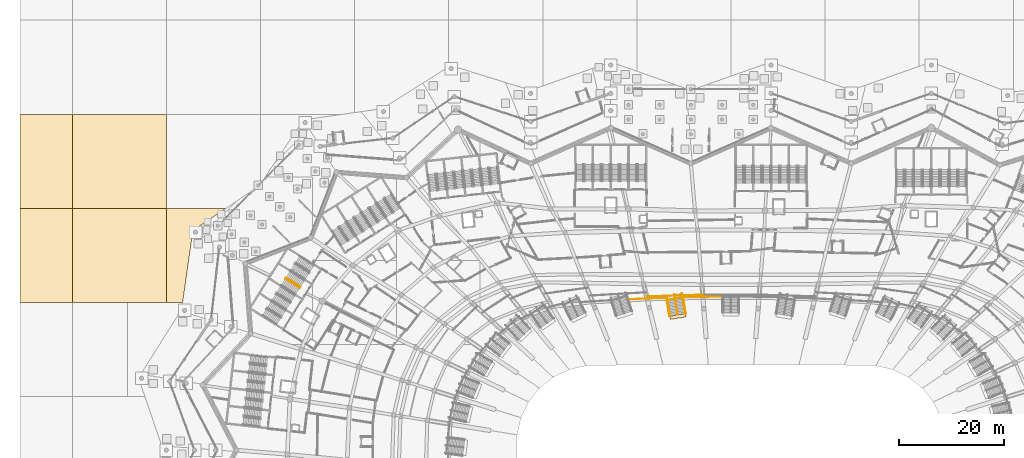
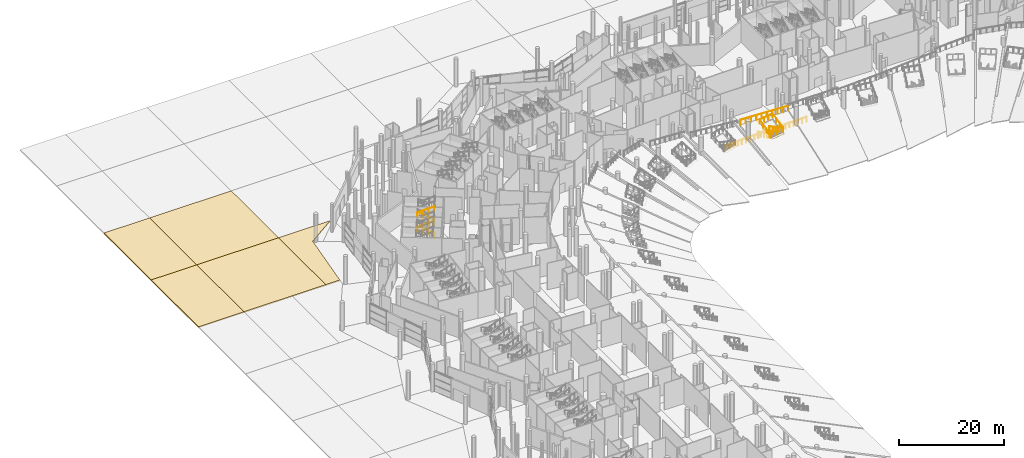
# One storey, part 231 of 255: 11 railings, 6 coverings.
"""IFC4 building model written with IfcOpenShell, lengths in metres."""

from ifc_helpers import new_model, si_unit, direction, frame, origin, origin_2d, place, context, subcontext, project, spatial, polyline, rectangle, circle, outline, extrude, material, layer, layer_set, type_object, element, save


model = new_model("IFC4")

# Units and contexts
model_context = context("Model", 3, precision=1e-05, world=origin(), true_north=direction((0.0, 1.0)))
body_context = subcontext(model_context, "Body", "Model", "MODEL_VIEW")
ifc_project = project(units=[si_unit("LENGTHUNIT", "METRE"), si_unit("AREAUNIT", "SQUARE_METRE"), si_unit("VOLUMEUNIT", "CUBIC_METRE"), si_unit("PLANEANGLEUNIT", "RADIAN"), si_unit("MASSUNIT", "GRAM", prefix="KILO")], contexts=[model_context])

# Site, building, storey
site_placement = place(None, origin())
site = spatial("IfcSite", under=ifc_project, at=site_placement, CompositionType="ELEMENT")
building_placement = place(site_placement, origin())
building = spatial("IfcBuilding", under=site, at=building_placement, Name="Meseta Stadium", CompositionType="ELEMENT")
storey_placement = place(building_placement, origin())
storey = spatial("IfcBuildingStorey", under=building, at=storey_placement, Name="L00", CompositionType="ELEMENT", Elevation=0.0)

# Coverings
ifc_material_1 = material(Name="Guadarrama granite paving on bedding", Category="masonry")
ifc_layer_1 = layer(ifc_material_1, 0.25)
ifc_layer_set_1 = layer_set([ifc_layer_1], Name="Ground paving 250")
covering_type_1 = type_object("IfcCoveringType", Name="Ground paving 250", PredefinedType="FLOORING", material=ifc_layer_set_1)
covering_1_placement = place(storey_placement, frame((0.0, 0.0, -0.25)))
element("IfcCovering", 1, at=covering_1_placement, inside=storey, type_object=covering_type_1, Name="Forecourt paving 49", PredefinedType="FLOORING", context=body_context, shape_type="SweptSolid", body=[
    extrude(outline(polyline([(-136.0, 90.0), (-136.0, 72.0), (-126.0, 72.0), (-126.0, 90.0), (-136.0, 90.0)])), origin(), (0.0, 0.0, 1.0), 0.25),
])
covering_2_placement = place(storey_placement, frame((0.0, 0.0, -0.25)))
element("IfcCovering", 2, at=covering_2_placement, inside=storey, type_object=covering_type_1, Name="Forecourt paving 50", PredefinedType="FLOORING", context=body_context, shape_type="SweptSolid", body=[
    extrude(outline(polyline([(-108.0, 72.0), (-108.0, 90.0), (-126.0, 90.0), (-126.0, 72.0), (-108.0, 72.0)])), origin(), (0.0, 0.0, 1.0), 0.25),
])
covering_3_placement = place(storey_placement, frame((0.0, 0.0, -0.25)))
element("IfcCovering", 3, at=covering_3_placement, inside=storey, type_object=covering_type_1, Name="Forecourt paving 52", PredefinedType="FLOORING", context=body_context, shape_type="SweptSolid", body=[
    extrude(outline(polyline([(-104.89794921875, 72.0), (-102.93212890625, 85.77294921875), (-96.626708984375, 90.0), (-108.0, 90.0), (-108.0, 72.0), (-104.89794921875, 72.0)])), origin(), (0.0, 0.0, 1.0), 0.25),
])
covering_4_placement = place(storey_placement, frame((0.0, 0.0, -0.25)))
element("IfcCovering", 4, at=covering_4_placement, inside=storey, type_object=covering_type_1, Name="Forecourt paving 54", PredefinedType="FLOORING", context=body_context, shape_type="SweptSolid", body=[
    extrude(outline(polyline([(-136.0, 108.0), (-136.0, 90.0), (-126.0, 90.0), (-126.0, 108.0), (-136.0, 108.0)])), origin(), (0.0, 0.0, 1.0), 0.25),
])
covering_5_placement = place(storey_placement, frame((0.0, 0.0, -0.25)))
element("IfcCovering", 5, at=covering_5_placement, inside=storey, type_object=covering_type_1, Name="Forecourt paving 55", PredefinedType="FLOORING", context=body_context, shape_type="SweptSolid", body=[
    extrude(outline(polyline([(-108.0, 90.0), (-108.0, 108.0), (-126.0, 108.0), (-126.0, 90.0), (-108.0, 90.0)])), origin(), (0.0, 0.0, 1.0), 0.25),
])

# Railings
ifc_material_2 = material(Name="Steel S355", Category="steel")
railing_type_1 = type_object("IfcRailingType", Name="Plate edge guard 1100", PredefinedType="GUARDRAIL", material=ifc_material_2)
railing_1_placement = place(storey_placement, frame((-1.570068359375, 73.095947265625, 0.0)))
element("IfcRailing", 6, at=railing_1_placement, inside=storey, type_object=railing_type_1, Name="L00 inner edge guard 20", PredefinedType="GUARDRAIL", context=body_context, shape_type="SweptSolid", body=[
    extrude(circle(Radius=0.02490234375, at=origin_2d()), frame((0.0, 0.0, 1.0751953125), z_axis=(-0.999975107636, -0.007055785431, 0.0), x_axis=(0.007055785431, -0.999975107636, 0.0)), (0.0, 0.0, 1.0), 2.0068359375),
    extrude(circle(Radius=0.02490234375, at=origin_2d()), frame((-2.0068359375, -0.01416015625, 1.0751953125), z_axis=(-0.99991923612, -0.012709100582, 0.0), x_axis=(0.012709100582, -0.99991923612, 0.0)), (0.0, 0.0, 1.0), 1.78662109375),
    extrude(circle(Radius=0.02490234375, at=origin_2d()), frame((-3.793212890625, -0.036865234375, 1.0751953125), z_axis=(-0.99984668871, -0.017509970742, 0.0), x_axis=(0.017509970742, -0.99984668871, 0.0)), (0.0, 0.0, 1.0), 1.78466796875),
    extrude(circle(Radius=0.02490234375, at=origin_2d()), frame((-5.57763671875, -0.068115234375, 1.0751953125), z_axis=(-0.999737298967, -0.022920145151, 0.0), x_axis=(0.022920145151, -0.999737298967, 0.0)), (0.0, 0.0, 1.0), 1.981201171875),
    extrude(circle(Radius=0.02001953125, at=origin_2d()), origin(), (0.0, 0.0, 1.0), 1.050048828125),
    extrude(circle(Radius=0.02001953125, at=origin_2d()), frame((-1.00341796875, -0.007080078125, 0.0)), (0.0, 0.0, 1.0), 1.050048828125),
    extrude(circle(Radius=0.02001953125, at=origin_2d()), frame((-2.0068359375, -0.01416015625, 0.0)), (0.0, 0.0, 1.0), 1.050048828125),
    extrude(circle(Radius=0.02001953125, at=origin_2d()), frame((-2.89990234375, -0.025390625, 0.0)), (0.0, 0.0, 1.0), 1.050048828125),
    extrude(circle(Radius=0.02001953125, at=origin_2d()), frame((-3.793212890625, -0.036865234375, 0.0)), (0.0, 0.0, 1.0), 1.050048828125),
    extrude(circle(Radius=0.02001953125, at=origin_2d()), frame((-4.685546875, -0.052490234375, 0.0)), (0.0, 0.0, 1.0), 1.050048828125),
    extrude(circle(Radius=0.02001953125, at=origin_2d()), frame((-5.57763671875, -0.068115234375, 0.0)), (0.0, 0.0, 1.0), 1.050048828125),
    extrude(circle(Radius=0.02001953125, at=origin_2d()), frame((-6.56787109375, -0.0908203125, 0.0)), (0.0, 0.0, 1.0), 1.050048828125),
    extrude(circle(Radius=0.02001953125, at=origin_2d()), frame((-7.558349609375, -0.113525390625, 0.0)), (0.0, 0.0, 1.0), 1.050048828125),
])
railing_2_placement = place(storey_placement, frame((-12.292724609375, 72.888671875, 0.0)))
element("IfcRailing", 7, at=railing_2_placement, inside=storey, type_object=railing_type_1, Name="L00 inner edge guard 21", PredefinedType="GUARDRAIL", context=body_context, shape_type="SweptSolid", body=[
    extrude(circle(Radius=0.02490234375, at=origin_2d()), frame((0.0, 0.0, 1.0751953125), z_axis=(-0.999269861076, -0.038206606047, 0.0), x_axis=(0.038206606047, -0.999269861076, 0.0)), (0.0, 0.0, 1.0), 3.725341796875),
    extrude(circle(Radius=0.02490234375, at=origin_2d()), frame((-3.72265625, -0.142333984375, 1.0751953125), z_axis=(-0.99889955311, -0.04690077607, 0.0), x_axis=(0.04690077607, -0.99889955311, 0.0)), (0.0, 0.0, 1.0), 3.64892578125),
    extrude(circle(Radius=0.02001953125, at=origin_2d()), origin(), (0.0, 0.0, 1.0), 1.050048828125),
    extrude(circle(Radius=0.02001953125, at=origin_2d()), frame((-0.9306640625, -0.03564453125, 0.0)), (0.0, 0.0, 1.0), 1.050048828125),
    extrude(circle(Radius=0.02001953125, at=origin_2d()), frame((-1.861328125, -0.0712890625, 0.0)), (0.0, 0.0, 1.0), 1.050048828125),
    extrude(circle(Radius=0.02001953125, at=origin_2d()), frame((-2.7919921875, -0.106689453125, 0.0)), (0.0, 0.0, 1.0), 1.050048828125),
    extrude(circle(Radius=0.02001953125, at=origin_2d()), frame((-3.72265625, -0.142333984375, 0.0)), (0.0, 0.0, 1.0), 1.050048828125),
    extrude(circle(Radius=0.02001953125, at=origin_2d()), frame((-4.6337890625, -0.18505859375, 0.0)), (0.0, 0.0, 1.0), 1.050048828125),
    extrude(circle(Radius=0.02001953125, at=origin_2d()), frame((-5.545166015625, -0.22802734375, 0.0)), (0.0, 0.0, 1.0), 1.050048828125),
    extrude(circle(Radius=0.02001953125, at=origin_2d()), frame((-6.45654296875, -0.270751953125, 0.0)), (0.0, 0.0, 1.0), 1.050048828125),
    extrude(circle(Radius=0.02001953125, at=origin_2d()), frame((-7.36767578125, -0.3134765625, 0.0)), (0.0, 0.0, 1.0), 1.050048828125),
])
ifc_material_3 = material(Name="Steel S355", Category="steel")
railing_type_2 = type_object("IfcRailingType", Name="Stair guard 1100", PredefinedType="GUARDRAIL", material=ifc_material_3)
railing_3_placement = place(storey_placement, frame((-82.356201171875, 75.029052734375, 0.147705078125)))
element("IfcRailing", 8, at=railing_3_placement, inside=storey, type_object=railing_type_2, Name="ST54 L00 guard 1", PredefinedType="GUARDRAIL", context=body_context, shape_type="SweptSolid", body=[
    extrude(circle(Radius=0.02392578125, at=origin_2d()), frame((0.0, 0.0, 1.076171875), z_axis=(-0.76876358972, 0.483022933061, 0.419155566894), x_axis=(-0.532013720158, -0.846735733015, 0.0)), (0.0, 0.0, 1.0), 3.5244140625),
    extrude(circle(Radius=0.02099609375, at=origin_2d()), origin(), (0.0, 0.0, 1.0), 1.052001953125),
    extrude(circle(Radius=0.02099609375, at=origin_2d()), frame((-0.903076171875, 0.5673828125, 0.492431640625)), (0.0, 0.0, 1.0), 1.052001953125),
    extrude(circle(Radius=0.02099609375, at=origin_2d()), frame((-1.806396484375, 1.135009765625, 0.98486328125)), (0.0, 0.0, 1.0), 1.052001953125),
    extrude(circle(Radius=0.02099609375, at=origin_2d()), frame((-2.70947265625, 1.702392578125, 1.477294921875)), (0.0, 0.0, 1.0), 1.052001953125),
])
railing_4_placement = place(storey_placement, frame((-85.225341796875, 76.4775390625, 1.772705078125)))
element("IfcRailing", 9, at=railing_4_placement, inside=storey, type_object=railing_type_2, Name="ST54 L00 guard 3", PredefinedType="GUARDRAIL", context=body_context, shape_type="SweptSolid", body=[
    extrude(circle(Radius=0.02392578125, at=origin_2d()), frame((0.0, 0.0, 1.076171875), z_axis=(0.76876358972, -0.483022933061, 0.419155566894), x_axis=(0.532013720158, 0.846735733015, 0.0)), (0.0, 0.0, 1.0), 3.5244140625),
    extrude(circle(Radius=0.02099609375, at=origin_2d()), origin(), (0.0, 0.0, 1.0), 1.052001953125),
    extrude(circle(Radius=0.02099609375, at=origin_2d()), frame((0.903076171875, -0.5673828125, 0.492431640625)), (0.0, 0.0, 1.0), 1.052001953125),
    extrude(circle(Radius=0.02099609375, at=origin_2d()), frame((1.806396484375, -1.135009765625, 0.98486328125)), (0.0, 0.0, 1.0), 1.052001953125),
    extrude(circle(Radius=0.02099609375, at=origin_2d()), frame((2.70947265625, -1.702392578125, 1.477294921875)), (0.0, 0.0, 1.0), 1.052001953125),
])
railing_5_placement = place(storey_placement, frame((-82.356201171875, 75.029052734375, 3.397705078125)))
element("IfcRailing", 10, at=railing_5_placement, inside=storey, type_object=railing_type_2, Name="ST54 L00 guard 5", PredefinedType="GUARDRAIL", context=body_context, shape_type="SweptSolid", body=[
    extrude(circle(Radius=0.02392578125, at=origin_2d()), frame((0.0, 0.0, 1.076171875), z_axis=(-0.76876358972, 0.483022933061, 0.419155566894), x_axis=(-0.532013720158, -0.846735733015, 0.0)), (0.0, 0.0, 1.0), 3.5244140625),
    extrude(circle(Radius=0.02099609375, at=origin_2d()), origin(), (0.0, 0.0, 1.0), 1.052001953125),
    extrude(circle(Radius=0.02099609375, at=origin_2d()), frame((-0.903076171875, 0.5673828125, 0.492431640625)), (0.0, 0.0, 1.0), 1.052001953125),
    extrude(circle(Radius=0.02099609375, at=origin_2d()), frame((-1.806396484375, 1.135009765625, 0.98486328125)), (0.0, 0.0, 1.0), 1.052001953125),
    extrude(circle(Radius=0.02099609375, at=origin_2d()), frame((-2.70947265625, 1.702392578125, 1.477294921875)), (0.0, 0.0, 1.0), 1.052001953125),
])
railing_6_placement = place(storey_placement, frame((-85.225341796875, 76.4775390625, 5.022705078125)))
element("IfcRailing", 11, at=railing_6_placement, inside=storey, type_object=railing_type_2, Name="ST54 L00 guard 7", PredefinedType="GUARDRAIL", context=body_context, shape_type="SweptSolid", body=[
    extrude(circle(Radius=0.02392578125, at=origin_2d()), frame((0.0, 0.0, 1.076171875), z_axis=(0.76876358972, -0.483022933061, 0.419155566894), x_axis=(0.532013720158, 0.846735733015, 0.0)), (0.0, 0.0, 1.0), 3.5244140625),
    extrude(circle(Radius=0.02099609375, at=origin_2d()), origin(), (0.0, 0.0, 1.0), 1.052001953125),
    extrude(circle(Radius=0.02099609375, at=origin_2d()), frame((0.903076171875, -0.5673828125, 0.492431640625)), (0.0, 0.0, 1.0), 1.052001953125),
    extrude(circle(Radius=0.02099609375, at=origin_2d()), frame((1.806396484375, -1.135009765625, 0.98486328125)), (0.0, 0.0, 1.0), 1.052001953125),
    extrude(circle(Radius=0.02099609375, at=origin_2d()), frame((2.70947265625, -1.702392578125, 1.477294921875)), (0.0, 0.0, 1.0), 1.052001953125),
])
ifc_material_4 = material(Name="Steel S355", Category="steel")
railing_type_3 = type_object("IfcRailingType", Name="Stand rear guard 1300", PredefinedType="GUARDRAIL", material=ifc_material_4)
railing_7_placement = place(storey_placement, frame((-5.4013671875, 73.457763671875, 3.517578125)))
element("IfcRailing", 12, at=railing_7_placement, inside=storey, type_object=railing_type_3, Name="Stand lower tier rear guard bay 20", PredefinedType="GUARDRAIL", context=body_context, shape_type="SweptSolid", body=[
    extrude(circle(Radius=0.02490234375, at=origin_2d()), frame((0.0, 0.0, 1.27490234375), z_axis=(-0.997458319074, -0.030219817506, 0.064526462324), x_axis=(0.030282927239, -0.999541366987, 0.0)), (0.0, 0.0, 1.0), 10.7529296875),
    extrude(circle(Radius=0.02001953125, at=origin_2d()), origin(), (0.0, 0.0, 1.0), 1.25),
    extrude(circle(Radius=0.02001953125, at=origin_2d()), frame((-1.191650390625, -0.0361328125, 0.0771484375)), (0.0, 0.0, 1.0), 1.25),
    extrude(circle(Radius=0.02001953125, at=origin_2d()), frame((-2.383544921875, -0.072265625, 0.154296875)), (0.0, 0.0, 1.0), 1.25),
    extrude(circle(Radius=0.02001953125, at=origin_2d()), frame((-3.5751953125, -0.1083984375, 0.231201171875)), (0.0, 0.0, 1.0), 1.25),
    extrude(circle(Radius=0.02001953125, at=origin_2d()), frame((-4.766845703125, -0.14453125, 0.308349609375)), (0.0, 0.0, 1.0), 1.25),
    extrude(circle(Radius=0.02001953125, at=origin_2d()), frame((-5.958740234375, -0.180419921875, 0.385498046875)), (0.0, 0.0, 1.0), 1.25),
    extrude(circle(Radius=0.02001953125, at=origin_2d()), frame((-7.150390625, -0.216552734375, 0.462646484375)), (0.0, 0.0, 1.0), 1.25),
    extrude(circle(Radius=0.02001953125, at=origin_2d()), frame((-8.342041015625, -0.252685546875, 0.53955078125)), (0.0, 0.0, 1.0), 1.25),
    extrude(circle(Radius=0.02001953125, at=origin_2d()), frame((-9.533935546875, -0.288818359375, 0.61669921875)), (0.0, 0.0, 1.0), 1.25),
    extrude(circle(Radius=0.02001953125, at=origin_2d()), frame((-10.7255859375, -0.324951171875, 0.69384765625)), (0.0, 0.0, 1.0), 1.25),
])

# Covering
ifc_material_5 = material(Name="Stone paving", Category="masonry")
ifc_layer_2 = layer(ifc_material_5, 0.02001953125)
ifc_layer_set_2 = layer_set([ifc_layer_2], Name="Vomitory exit threshold plate 20")
covering_type_2 = type_object("IfcCoveringType", Name="Vomitory exit threshold plate 20", PredefinedType="FLOORING", material=ifc_layer_set_2)
covering_6_placement = place(storey_placement, frame((-10.1357421875, 69.314453125, 1.963134765625), z_axis=(0.0, 0.0, 1.0), x_axis=(0.15676715754, -0.987635589839, 0.0)))
element("IfcCovering", 13, at=covering_6_placement, inside=storey, type_object=covering_type_2, Name="Vomitory V-lower-20 exit threshold", PredefinedType="FLOORING", context=body_context, shape_type="SweptSolid", body=[
    extrude(rectangle(XDim=0.60009765625, YDim=3.0, at=origin_2d()), origin(), (0.0, 0.0, 1.0), 0.02001953125),
])

# Railings
ifc_material_6 = material(Name="Steel S355", Category="steel")
railing_type_4 = type_object("IfcRailingType", Name="Vomitory slot guard 1100", PredefinedType="GUARDRAIL", material=ifc_material_6)
railing_8_placement = place(storey_placement, frame((-11.76953125, 69.400634765625, 1.983154296875)))
element("IfcRailing", 14, at=railing_8_placement, inside=storey, type_object=railing_type_4, Name="Vomitory V-lower-20 slot guard", PredefinedType="GUARDRAIL", context=body_context, shape_type="SweptSolid", body=[
    extrude(circle(Radius=0.02490234375, at=origin_2d()), frame((0.0, 0.0, 1.0751953125), z_axis=(-0.139687741753, 0.879801246401, 0.45435349854), x_axis=(-0.987629140267, -0.156807784551, 0.0)), (0.0, 0.0, 1.0), 3.479736328125),
    extrude(circle(Radius=0.02490234375, at=origin_2d()), frame((-0.486083984375, 3.0615234375, 2.65625), z_axis=(0.987634591008, 0.156773450063, 0.0), x_axis=(-0.156773450063, 0.987634591008, 0.0)), (0.0, 0.0, 1.0), 3.2001953125),
    extrude(circle(Radius=0.02490234375, at=origin_2d()), frame((2.674560546875, 3.563232421875, 2.65625), z_axis=(0.139610332251, -0.879825716963, -0.454329905355), x_axis=(0.98764326903, 0.156718770861, 0.0)), (0.0, 0.0, 1.0), 3.47998046875),
    extrude(circle(Radius=0.02001953125, at=origin_2d()), origin(), (0.0, 0.0, 1.0), 1.050048828125),
    extrude(circle(Radius=0.02001953125, at=origin_2d()), frame((-0.162109375, 1.0205078125, 0.527099609375)), (0.0, 0.0, 1.0), 1.050048828125),
    extrude(circle(Radius=0.02001953125, at=origin_2d()), frame((-0.323974609375, 2.041015625, 1.053955078125)), (0.0, 0.0, 1.0), 1.050048828125),
    extrude(circle(Radius=0.02001953125, at=origin_2d()), frame((-0.486083984375, 3.0615234375, 1.5810546875)), (0.0, 0.0, 1.0), 1.050048828125),
    extrude(circle(Radius=0.02001953125, at=origin_2d()), frame((0.5673828125, 3.228759765625, 1.5810546875)), (0.0, 0.0, 1.0), 1.050048828125),
    extrude(circle(Radius=0.02001953125, at=origin_2d()), frame((1.62109375, 3.39599609375, 1.5810546875)), (0.0, 0.0, 1.0), 1.050048828125),
    extrude(circle(Radius=0.02001953125, at=origin_2d()), frame((2.674560546875, 3.563232421875, 1.5810546875)), (0.0, 0.0, 1.0), 1.050048828125),
    extrude(circle(Radius=0.02001953125, at=origin_2d()), frame((2.83642578125, 2.542724609375, 1.053955078125)), (0.0, 0.0, 1.0), 1.050048828125),
    extrude(circle(Radius=0.02001953125, at=origin_2d()), frame((2.99853515625, 1.52197265625, 0.527099609375)), (0.0, 0.0, 1.0), 1.050048828125),
    extrude(circle(Radius=0.02001953125, at=origin_2d()), frame((3.160400390625, 0.50146484375, 0.0)), (0.0, 0.0, 1.0), 1.050048828125),
])
ifc_material_7 = material(Name="Steel S355", Category="steel")
railing_type_5 = type_object("IfcRailingType", Name="Vomitory stair guard 1100", PredefinedType="GUARDRAIL", material=ifc_material_7)
for number, where, name in (
    (15, (-9.37158203125, 73.750244140625, 0.132080078125), "Vomitory V-lower-20 guard left"),
    (16, (-12.23583984375, 73.295654296875, 0.132080078125), "Vomitory V-lower-20 guard right"),
):
    element("IfcRailing", number, at=place(storey_placement, frame(where)), inside=storey, type_object=railing_type_5, Name=name, PredefinedType="GUARDRAIL", context=body_context, shape_type="SweptSolid", body=[
        extrude(circle(Radius=0.02490234375, at=origin_2d()), frame((0.0, 0.0, 1.0751953125), z_axis=(0.141749810078, -0.89307448876, 0.42699525626), x_axis=(0.987636905965, 0.156758865703, 0.0)), (0.0, 0.0, 1.0), 4.335205078125),
        extrude(circle(Radius=0.02001953125, at=origin_2d()), origin(), (0.0, 0.0, 1.0), 1.050048828125),
        extrude(circle(Radius=0.02001953125, at=origin_2d()), frame((0.153564453125, -0.9677734375, 0.462890625)), (0.0, 0.0, 1.0), 1.050048828125),
        extrude(circle(Radius=0.02001953125, at=origin_2d()), frame((0.30712890625, -1.935791015625, 0.925537109375)), (0.0, 0.0, 1.0), 1.050048828125),
        extrude(circle(Radius=0.02001953125, at=origin_2d()), frame((0.4609375, -2.90380859375, 1.38818359375)), (0.0, 0.0, 1.0), 1.050048828125),
        extrude(circle(Radius=0.02001953125, at=origin_2d()), frame((0.614501953125, -3.87158203125, 1.85107421875)), (0.0, 0.0, 1.0), 1.050048828125),
    ])
ifc_material_8 = material(Name="Steel S355", Category="steel")
railing_type_6 = type_object("IfcRailingType", Name="Vomitory stair handrail 900", PredefinedType="HANDRAIL", material=ifc_material_8)
railing_9_placement = place(storey_placement, frame((-10.8037109375, 73.52294921875, 0.132080078125)))
element("IfcRailing", 17, at=railing_9_placement, inside=storey, type_object=railing_type_6, Name="Vomitory V-lower-20 central handrail", PredefinedType="HANDRAIL", context=body_context, shape_type="SweptSolid", body=[
    extrude(circle(Radius=0.02490234375, at=origin_2d()), frame((0.0, 0.0, 0.875), z_axis=(0.141749810078, -0.89307448876, 0.42699525626), x_axis=(0.987636905965, 0.156758865703, 0.0)), (0.0, 0.0, 1.0), 4.335205078125),
    extrude(circle(Radius=0.02001953125, at=origin_2d()), origin(), (0.0, 0.0, 1.0), 0.849853515625),
    extrude(circle(Radius=0.02001953125, at=origin_2d()), frame((0.153564453125, -0.9677734375, 0.462890625)), (0.0, 0.0, 1.0), 0.849853515625),
    extrude(circle(Radius=0.02001953125, at=origin_2d()), frame((0.30712890625, -1.935791015625, 0.925537109375)), (0.0, 0.0, 1.0), 0.849853515625),
    extrude(circle(Radius=0.02001953125, at=origin_2d()), frame((0.4609375, -2.90380859375, 1.38818359375)), (0.0, 0.0, 1.0), 0.849853515625),
    extrude(circle(Radius=0.02001953125, at=origin_2d()), frame((0.614501953125, -3.87158203125, 1.85107421875)), (0.0, 0.0, 1.0), 0.849853515625),
])

save(model, "model.ifc")
